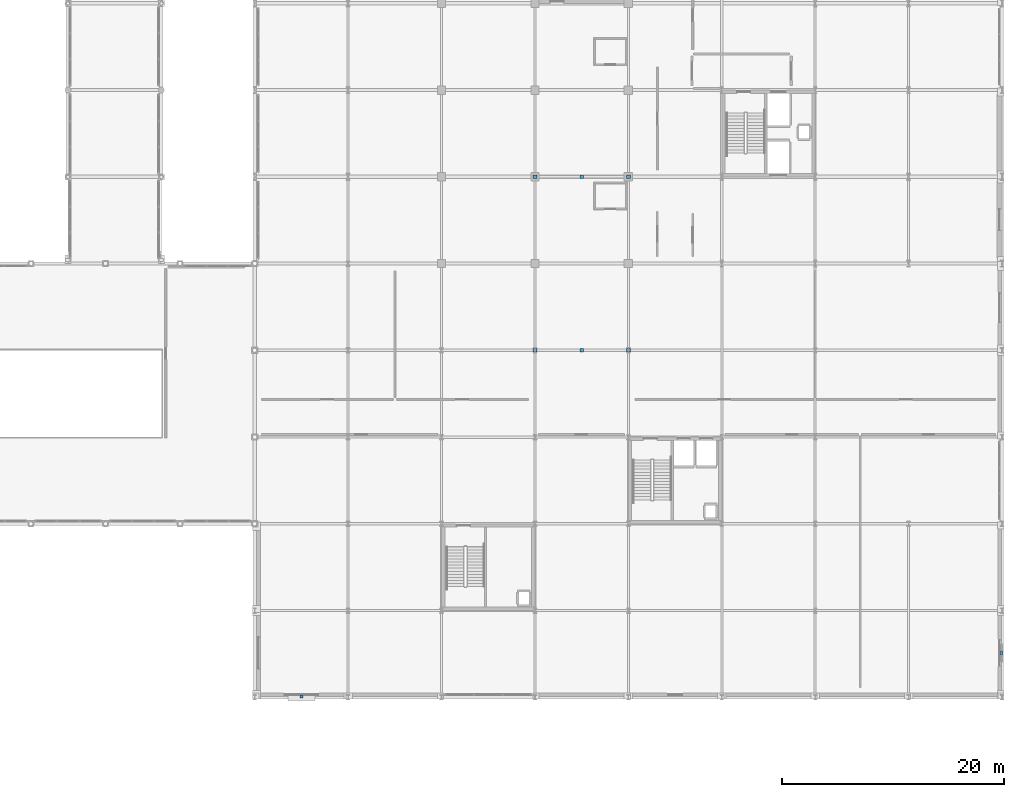
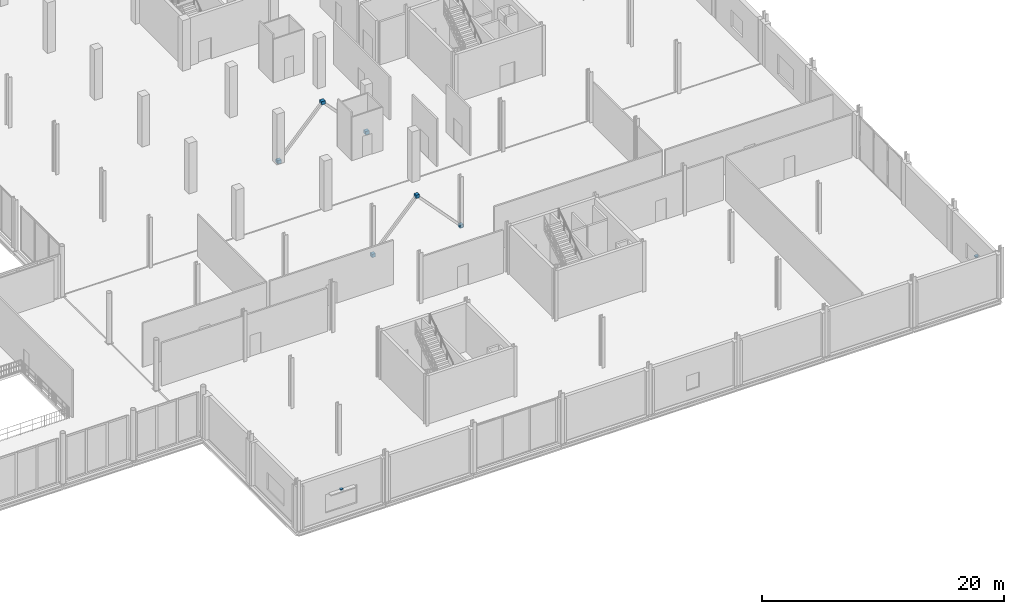
# One storey, part 90 of 105: 8 discrete accessories.
"""IFC4 building model written with IfcOpenShell, lengths in metres."""

from ifc_helpers import new_model, si_unit, direction, frame, origin, origin_2d, place, context, subcontext, project, spatial, rectangle, extrude, material, layer, layer_set, type_object, element, save


model = new_model("IFC4")

# Units and contexts
model_context = context("Model", 3, precision=1e-05, world=origin(), true_north=direction((0.0, 1.0)))
body_context = subcontext(model_context, "Body", "Model", "MODEL_VIEW")
ifc_project = project(units=[si_unit("LENGTHUNIT", "METRE"), si_unit("AREAUNIT", "SQUARE_METRE"), si_unit("VOLUMEUNIT", "CUBIC_METRE"), si_unit("PLANEANGLEUNIT", "RADIAN"), si_unit("MASSUNIT", "GRAM", prefix="KILO")], contexts=[model_context])

# Site, building, storey
site_placement = place(None, origin())
site = spatial("IfcSite", under=ifc_project, at=site_placement, CompositionType="ELEMENT")
building_placement = place(site_placement, origin())
building = spatial("IfcBuilding", under=site, at=building_placement, Name="Nabrawat Pavilion Hospital", CompositionType="ELEMENT")
storey_placement = place(building_placement, frame((0.0, 0.0, 5.10009765625)))
storey = spatial("IfcBuildingStorey", under=building, at=storey_placement, Name="L01", CompositionType="ELEMENT", Elevation=5.10009765625)

# Discrete accessories
ifc_material = material(Name="Steel S355", Category="steel")
ifc_layer_1 = layer(ifc_material, 0.02001953125, Name="Steel S355")
ifc_layer_set_1 = layer_set([ifc_layer_1], Name="Steel S355")
discrete_accessory_type_1 = type_object("IfcDiscreteAccessoryType", Name="Brace and Strut Gusset End Bracket 20", PredefinedType="BRACKET", material=ifc_layer_set_1)
for number, where, z_axis, x_axis, name in (
    (1, (155.39990234375, 31.199951171875, 4.3798828125), (0.0, 0.0, 1.0), (1.0, 0.0, 0.0), "L01 Brace and Strut Gusset End Connection 0054"),
    (2, (151.199951171875, 31.199951171875, -0.1201171875), (0.0, 0.0, 1.0), (1.0, 0.0, 0.0), "L01 Brace and Strut Gusset End Connection 0055"),
    (3, (159.60009765625, 31.199951171875, -0.1201171875), (0.0, 0.0, 1.0), (1.0, 0.0, 0.0), "L01 Brace and Strut Gusset End Connection 0056"),
    (4, (155.39990234375, 46.800048828125, 4.3798828125), (0.0, 0.0, 1.0), (1.0, 0.0, 0.0), "L01 Brace and Strut Gusset End Connection 0072"),
    (5, (151.199951171875, 46.800048828125, -0.1201171875), (0.0, 0.0, 1.0), (1.0, 0.0, 0.0), "L01 Brace and Strut Gusset End Connection 0073"),
    (6, (159.60009765625, 46.800048828125, -0.1201171875), (0.0, 0.0, 1.0), (1.0, 0.0, 0.0), "L01 Brace and Strut Gusset End Connection 0074"),
):
    element("IfcDiscreteAccessory", number, at=place(storey_placement, frame(where, z_axis=z_axis, x_axis=x_axis)), inside=storey, type_object=discrete_accessory_type_1, Name=name, PredefinedType="BRACKET", context=body_context, shape_type="SweptSolid", body=[
        extrude(rectangle(XDim=0.340087890625, YDim=0.340087890625, at=origin_2d()), origin(), (0.0, 0.0, 1.0), 0.340087890625),
    ])
ifc_layer_2 = layer(ifc_material, 0.159912109375, Name="Steel S355")
ifc_layer_set_2 = layer_set([ifc_layer_2], Name="Steel S355")
discrete_accessory_type_2 = type_object("IfcDiscreteAccessoryType", Name="Facade Shading Support Steel Bracket", PredefinedType="BRACKET", material=ifc_layer_set_2)
for number, where, z_axis, x_axis, name in (
    (7, (130.199951171875, 0.054931640625, 2.52001953125), (0.0, 0.0, 1.0), (1.0, 0.0, 0.0), "L01 Facade Shading Bracket 010"),
    (8, (193.14501953125, 3.982421875, 1.64501953125), (0.0, 0.0, 1.0), (0.0, 1.0, 0.0), "L01 Facade Shading Bracket 011"),
):
    element("IfcDiscreteAccessory", number, at=place(storey_placement, frame(where, z_axis=z_axis, x_axis=x_axis)), inside=storey, type_object=discrete_accessory_type_2, Name=name, PredefinedType="BRACKET", context=body_context, shape_type="SweptSolid", body=[
        extrude(rectangle(XDim=0.239990234375, YDim=0.280029296875, at=origin_2d()), origin(), (0.0, 0.0, 1.0), 0.159912109375),
    ])

save(model, "model.ifc")
